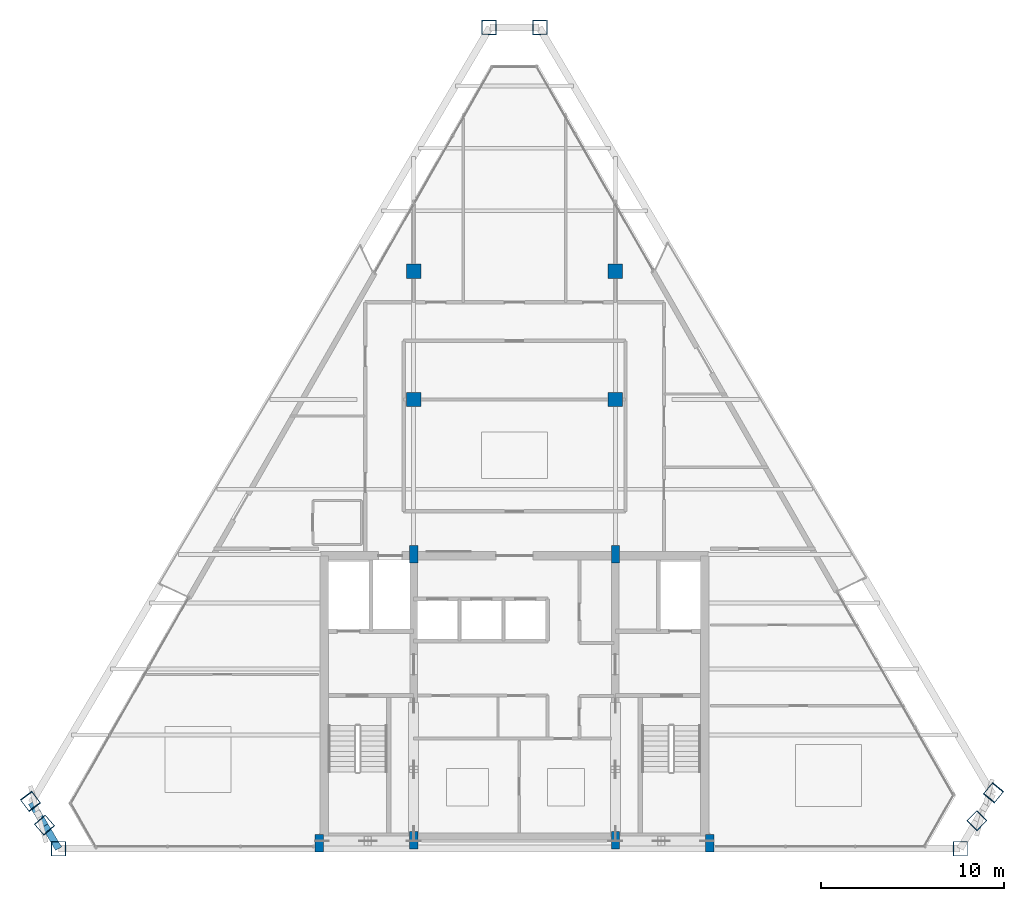
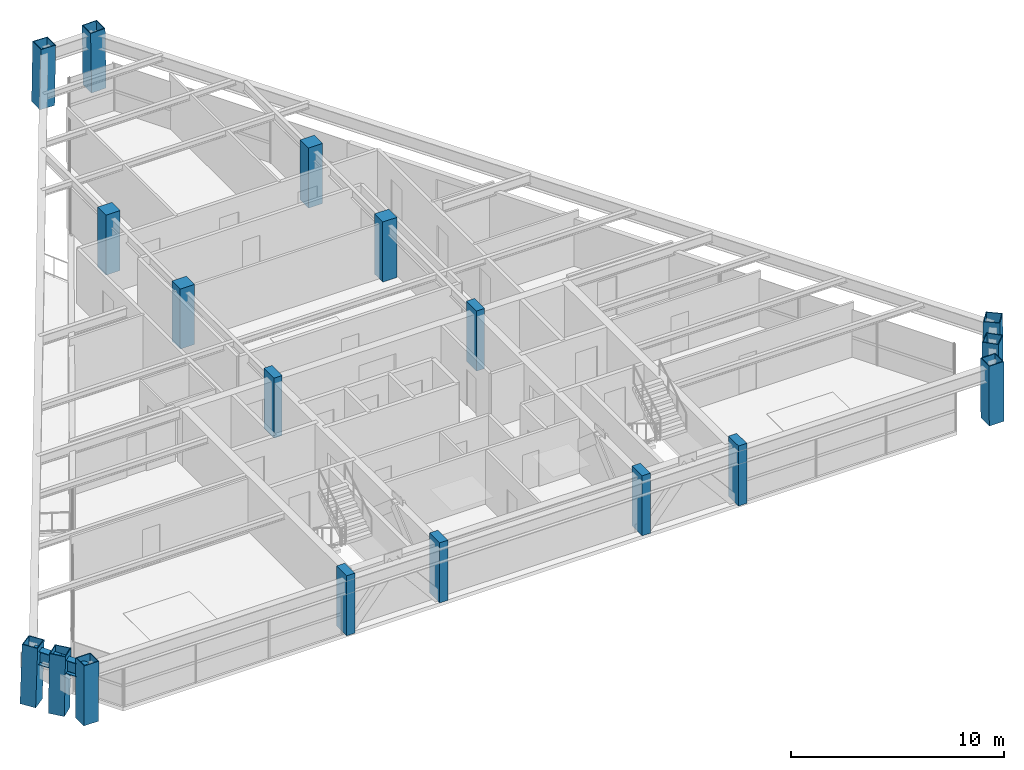
# One storey, part 1 of 13: 18 columns, 2 beams.
"""IFC4 building model written with IfcOpenShell, lengths in metres."""

from ifc_helpers import new_model, si_unit, direction, frame, origin, origin_2d, place, context, subcontext, project, spatial, rectangle, hollow_rectangle, i_section, extrude, source, transform, mapped, material, material_profile, profile_set, type_object, element, save


model = new_model("IFC4")

# Units and contexts
model_context = context("Model", 3, precision=1e-05, world=origin(), true_north=direction((0.0, 1.0)))
body_context = subcontext(model_context, "Body", "Model", "MODEL_VIEW")
ifc_project = project(units=[si_unit("LENGTHUNIT", "METRE"), si_unit("AREAUNIT", "SQUARE_METRE"), si_unit("VOLUMEUNIT", "CUBIC_METRE"), si_unit("PLANEANGLEUNIT", "RADIAN"), si_unit("MASSUNIT", "GRAM", prefix="KILO")], contexts=[model_context])

# Site, building, storey
site_placement = place(None, origin())
site = spatial("IfcSite", under=ifc_project, at=site_placement, CompositionType="ELEMENT")
building_placement = place(site_placement, origin())
building = spatial("IfcBuilding", under=site, at=building_placement, Name="Varnakhor Terracotta Tower", CompositionType="ELEMENT")
storey_placement = place(building_placement, frame((0.0, 0.0, 300.60009765625)))
storey = spatial("IfcBuildingStorey", under=building, at=storey_placement, Name="L79", CompositionType="ELEMENT", Elevation=300.60009765625)

# Columns
ifc_material_1 = material(Name="Concrete C50/60", Category="concrete")
ifc_material_profile_1 = material_profile(ifc_material_1, rectangle(XDim=0.449951171875, YDim=0.949951171875, at=origin_2d()), Name="RC PILASTER 950x450")
ifc_profile_set_1 = profile_set([ifc_material_profile_1], Name="Concrete C50/60")
column_type_1 = type_object("IfcColumnType", Name="COL-PIL-950x450", PredefinedType="PILASTER", material=ifc_profile_set_1)
shared_shape_1 = source(origin(), body_context, "Body", "SweptSolid", [
    extrude(rectangle(XDim=0.449951171875, YDim=0.949951171875, at=origin_2d()), origin(), (0.0, 0.0, 1.0), 3.449951171875),
])
for number, where, z_axis, x_axis, name in (
    (1, (-10.64990234375, 0.300048828125, 0.0), (0.0, 0.0, 1.0), (1.0, 0.0, 0.0), "L79 Core Pilaster CP1"),
    (2, (-5.5, 0.449951171875, 0.0), (0.0, 0.0, 1.0), (1.0, 0.0, 0.0), "L79 Core Pilaster CP2"),
    (3, (5.5, 0.449951171875, 0.0), (0.0, 0.0, 1.0), (1.0, 0.0, 0.0), "L79 Core Pilaster CP3"),
    (4, (10.64990234375, 0.300048828125, 0.0), (0.0, 0.0, 1.0), (1.0, 0.0, 0.0), "L79 Core Pilaster CP4"),
    (5, (-5.5, 16.050048828125, 0.0), (0.0, 0.0, 1.0), (1.0, 0.0, 0.0), "L79 Core Pilaster CP5"),
    (6, (5.5, 16.050048828125, 0.0), (0.0, 0.0, 1.0), (1.0, 0.0, 0.0), "L79 Core Pilaster CP6"),
):
    element("IfcColumn", number, at=place(storey_placement, frame(where, z_axis=z_axis, x_axis=x_axis)), inside=storey, type_object=column_type_1, Name=name, PredefinedType="PILASTER", context=body_context, shape_type="MappedRepresentation", body=[
        mapped(shared_shape_1, transform((0.0, 0.0, 0.0), scale=1.0)),
    ])
ifc_material_profile_2 = material_profile(ifc_material_1, rectangle(XDim=0.780029296875, YDim=0.780029296875, at=origin_2d()), Name="RC 780x780")
ifc_profile_set_2 = profile_set([ifc_material_profile_2], Name="Concrete C50/60")
column_type_2 = type_object("IfcColumnType", Name="COL-RC-780", PredefinedType="COLUMN", material=ifc_profile_set_2)
shared_shape_2 = source(origin(), body_context, "Body", "SweptSolid", [
    extrude(rectangle(XDim=0.780029296875, YDim=0.780029296875, at=origin_2d()), origin(), (0.0, 0.0, 1.0), 3.449951171875),
])
for number, where, z_axis, x_axis, name in (
    (7, (-5.5, 24.5, 0.0), (0.0, 0.0, 1.0), (1.0, 0.0, 0.0), "L79 Interior Tower Column IC1"),
    (8, (5.5, 24.5, 0.0), (0.0, 0.0, 1.0), (1.0, 0.0, 0.0), "L79 Interior Tower Column IC2"),
    (9, (-5.5, 31.5, 0.0), (0.0, 0.0, 1.0), (1.0, 0.0, 0.0), "L79 Interior Tower Column IC3"),
    (10, (5.5, 31.5, 0.0), (0.0, 0.0, 1.0), (1.0, 0.0, 0.0), "L79 Interior Tower Column IC4"),
):
    element("IfcColumn", number, at=place(storey_placement, frame(where, z_axis=z_axis, x_axis=x_axis)), inside=storey, type_object=column_type_2, Name=name, PredefinedType="COLUMN", context=body_context, shape_type="MappedRepresentation", body=[
        mapped(shared_shape_2, transform((0.0, 0.0, 0.0), scale=1.0)),
    ])
ifc_material_2 = material(Name="Steel S355", Category="steel")
ifc_material_profile_3 = material_profile(ifc_material_2, hollow_rectangle(XDim=0.800048828125, YDim=0.800048828125, WallThickness=0.0400390625, at=origin_2d()), Name="BOX 800x800x40")
ifc_profile_set_3 = profile_set([ifc_material_profile_3], Name="Steel S355")
column_type_3 = type_object("IfcColumnType", Name="COL-MEGA-800", PredefinedType="COLUMN", material=ifc_profile_set_3)
shared_shape_3 = source(origin(), body_context, "Body", "SweptSolid", [
    extrude(hollow_rectangle(XDim=0.800048828125, YDim=0.800048828125, WallThickness=0.0400390625, at=origin_2d()), origin(), (0.0, 0.0, 1.0), 3.441162109375),
])
for number, where, z_axis, x_axis, name in (
    (11, (-24.87548828125, 0.0, 0.00439453125), (0.002908820613, 0.0, 0.999995769372), (0.0, 1.0, 0.0), "L79 Perimeter Mega-Column M1"),
    (12, (24.31640625, 0.0, 0.00439453125), (-0.003973008728, 0.0, 0.99999210757), (0.0, -1.0, 0.0), "L79 Perimeter Mega-Column M2"),
):
    element("IfcColumn", number, at=place(storey_placement, frame(where, z_axis=z_axis, x_axis=x_axis)), inside=storey, type_object=column_type_3, Name=name, PredefinedType="COLUMN", context=body_context, shape_type="MappedRepresentation", body=[
        mapped(shared_shape_3, transform((0.0, 0.0, 0.0), scale=1.0)),
    ])
shared_shape_4 = source(origin(), body_context, "Body", "SweptSolid", [
    extrude(hollow_rectangle(XDim=0.800048828125, YDim=0.800048828125, WallThickness=0.0400390625, at=origin_2d()), origin(), (0.0, 0.0, 1.0), 3.441650390625),
])
for number, where, z_axis, x_axis, name in (
    (13, (25.224853515625, 1.532470703125, 0.00439453125), (-0.01135006226, -0.011491938038, 0.999869547214), (0.711485024799, -0.702701259061, 0.0), "L79 Perimeter Mega-Column M3"),
    (14, (1.3974609375, 44.79248046875, 0.00439453125), (-0.016457507915, -0.000212812602, 0.999864543398), (0.012929953508, -0.999916404657, 0.0), "L79 Perimeter Mega-Column M5"),
    (15, (-1.3974609375, 44.79248046875, 0.00439453125), (0.016457507915, -0.000212812602, 0.999864543398), (0.012929953508, 0.999916404657, 0.0), "L79 Perimeter Mega-Column M6"),
    (16, (-25.64404296875, 1.296630859375, 0.00439453125), (0.010569756171, -0.01213039131, 0.999870558553), (0.753940698931, 0.656942480355, 0.0), "L79 Perimeter Mega-Column M8"),
):
    element("IfcColumn", number, at=place(storey_placement, frame(where, z_axis=z_axis, x_axis=x_axis)), inside=storey, type_object=column_type_3, Name=name, PredefinedType="COLUMN", context=body_context, shape_type="MappedRepresentation", body=[
        mapped(shared_shape_4, transform((0.0, 0.0, 0.0), scale=1.0)),
    ])
shared_shape_5 = source(origin(), body_context, "Body", "SweptSolid", [
    extrude(hollow_rectangle(XDim=0.800048828125, YDim=0.800048828125, WallThickness=0.0400390625, at=origin_2d()), origin(), (0.0, 0.0, 1.0), 3.442626953125),
])
for number, where, z_axis, x_axis, name in (
    (17, (26.13330078125, 3.064697265625, 0.00439453125), (-0.018792708688, -0.022976745716, 0.999559354544), (0.774063732677, -0.63310768259, 0.0), "L79 Perimeter Mega-Column M4"),
    (18, (-26.41259765625, 2.59326171875, 0.00439453125), (0.018154163739, -0.024181913417, 0.999542726152), (0.799718486139, 0.60037516848, 0.0), "L79 Perimeter Mega-Column M7"),
):
    element("IfcColumn", number, at=place(storey_placement, frame(where, z_axis=z_axis, x_axis=x_axis)), inside=storey, type_object=column_type_3, Name=name, PredefinedType="COLUMN", context=body_context, shape_type="MappedRepresentation", body=[
        mapped(shared_shape_5, transform((0.0, 0.0, 0.0), scale=1.0)),
    ])

# Beams
ifc_material_profile_4 = material_profile(ifc_material_2, i_section(OverallWidth=0.381103515625, OverallDepth=0.77294921875, WebThickness=0.01708984375, FlangeThickness=0.027099609375, FilletRadius=0.01806640625, at=origin_2d()), Name="W30X173")
ifc_profile_set_4 = profile_set([ifc_material_profile_4], Name="Steel S355")
beam_type = type_object("IfcBeamType", Name="BM-W30X173", PredefinedType="BEAM", material=ifc_profile_set_4)
shared_shape_6 = source(origin(), body_context, "Body", "SweptSolid", [
    extrude(i_section(OverallWidth=0.381103515625, OverallDepth=0.77294921875, WebThickness=0.01708984375, FlangeThickness=0.027099609375, FilletRadius=0.01806640625, at=origin_2d()), origin(), (0.0, 0.0, 1.0), 1.458251953125),
])
beam_1_placement = place(storey_placement, frame((-26.35009765625, 2.510009765625, 2.763427734375), z_axis=(0.509118449547, -0.86069646469, 0.0), x_axis=(0.86069646469, 0.509118449547, 0.0)))
element("IfcBeam", 19, at=beam_1_placement, inside=storey, type_object=beam_type, Name="L79 Perimeter Spandrel 7", PredefinedType="BEAM", context=body_context, shape_type="MappedRepresentation", body=[
    mapped(shared_shape_6, transform((0.0, 0.0, 0.0), scale=1.0)),
])
shared_shape_7 = source(origin(), body_context, "Body", "SweptSolid", [
    extrude(i_section(OverallWidth=0.381103515625, OverallDepth=0.77294921875, WebThickness=0.01708984375, FlangeThickness=0.027099609375, FilletRadius=0.01806640625, at=origin_2d()), origin(), (0.0, 0.0, 1.0), 1.4580078125),
])
beam_2_placement = place(storey_placement, frame((-25.607666015625, 1.2548828125, 2.763427734375), z_axis=(0.509067775999, -0.860726437051, 0.0), x_axis=(0.860726437051, 0.509067775999, 0.0)))
element("IfcBeam", 20, at=beam_2_placement, inside=storey, type_object=beam_type, Name="L79 Perimeter Spandrel 8", PredefinedType="BEAM", context=body_context, shape_type="MappedRepresentation", body=[
    mapped(shared_shape_7, transform((0.0, 0.0, 0.0), scale=1.0)),
])

save(model, "model.ifc")
